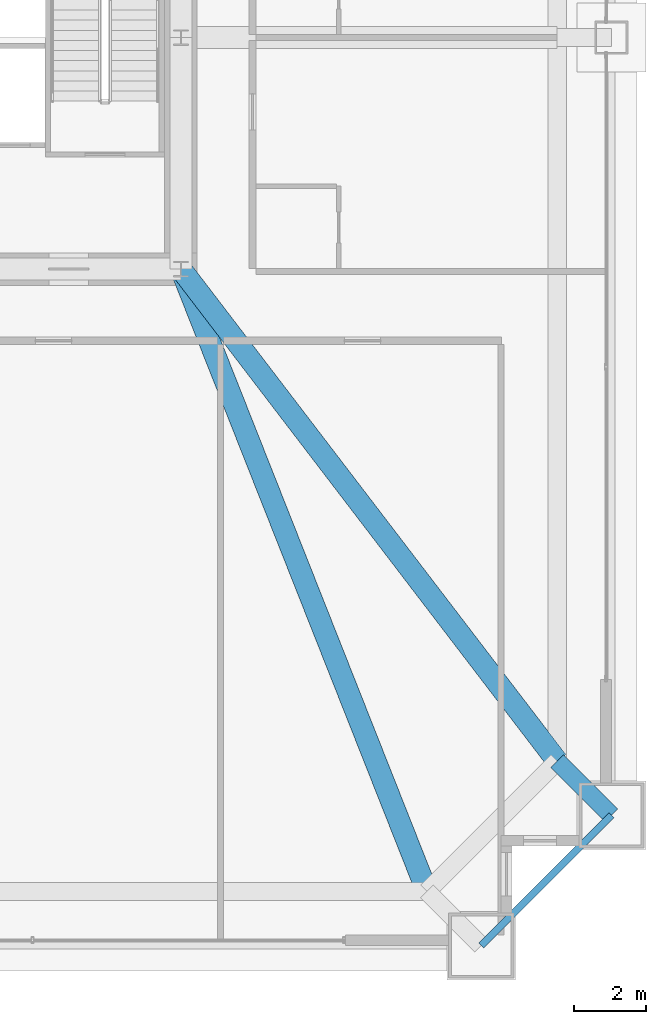
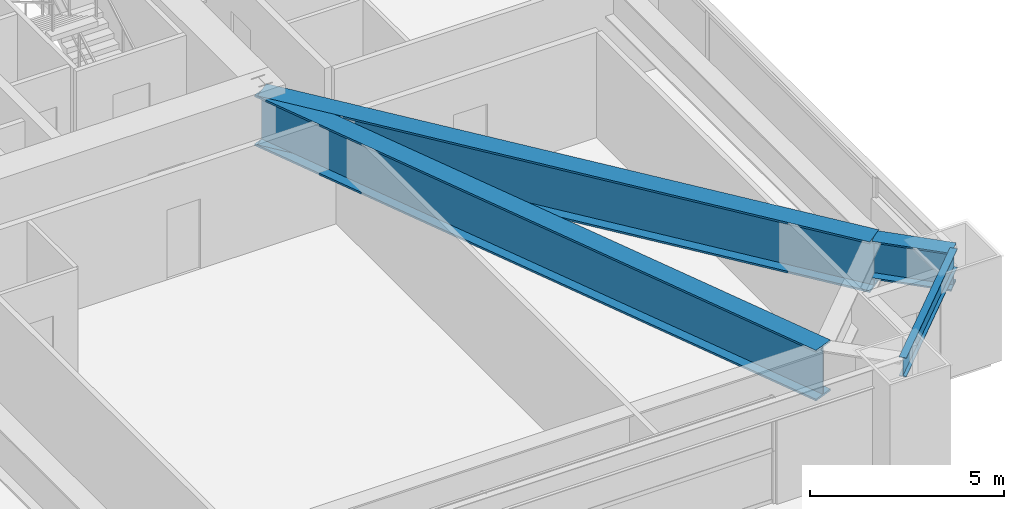
# One storey, part 16 of 44: 4 beams.
"""IFC4 building model written with IfcOpenShell, lengths in metres."""

from ifc_helpers import new_model, si_unit, direction, frame, origin, origin_2d, place, context, subcontext, project, spatial, i_section, extrude, source, transform, mapped, material, material_profile, profile_set, type_object, element, save


model = new_model("IFC4")

# Units and contexts
model_context = context("Model", 3, precision=1e-05, world=origin(), true_north=direction((0.0, 1.0)))
body_context = subcontext(model_context, "Body", "Model", "MODEL_VIEW")
ifc_project = project(units=[si_unit("LENGTHUNIT", "METRE"), si_unit("AREAUNIT", "SQUARE_METRE"), si_unit("VOLUMEUNIT", "CUBIC_METRE"), si_unit("PLANEANGLEUNIT", "RADIAN"), si_unit("MASSUNIT", "GRAM", prefix="KILO"), si_unit("THERMODYNAMICTEMPERATUREUNIT", "KELVIN"), si_unit("POWERUNIT", "WATT")], contexts=[model_context])

# Site, building, storey
site_placement = place(None, origin())
site = spatial("IfcSite", under=ifc_project, at=site_placement, CompositionType="ELEMENT")
building_placement = place(site_placement, origin())
building = spatial("IfcBuilding", under=site, at=building_placement, Name="Yuzanri Waterfront Tower", CompositionType="ELEMENT")
storey_placement = place(building_placement, frame((0.0, 0.0, 82.0)))
storey = spatial("IfcBuildingStorey", under=building, at=storey_placement, Name="L21", CompositionType="ELEMENT", Elevation=82.0)

# Beams
ifc_material_1 = material(Name="Steel Q355B", Category="steel")
ifc_material_profile_1 = material_profile(ifc_material_1, i_section(OverallWidth=0.199951171875, OverallDepth=0.60009765625, WebThickness=0.010986328125, FlangeThickness=0.01708984375, at=origin_2d()), Name="HN 600x200x11x17")
ifc_profile_set_1 = profile_set([ifc_material_profile_1], Name="Steel Q355B")
beam_type_1 = type_object("IfcBeamType", Name="Perimeter Spandrel Q355B HN 600x200", PredefinedType="SPANDREL", material=ifc_profile_set_1)
shared_shape_1 = source(origin(), body_context, "Body", "SweptSolid", [
    extrude(i_section(OverallWidth=0.199951171875, OverallDepth=0.60009765625, WebThickness=0.010986328125, FlangeThickness=0.01708984375, at=origin_2d()), origin(), (0.0, 0.0, 1.0), 5.09130859375),
])
beam_1_placement = place(storey_placement, frame((58.5, 0.699951171875, 3.02001953125), z_axis=(0.707106781187, 0.707106781187, 0.0), x_axis=(-0.707106781187, 0.707106781187, 0.0)))
element("IfcBeam", 1, at=beam_1_placement, inside=storey, type_object=beam_type_1, Name="L21 Perimeter Spandrel S3-E1", PredefinedType="SPANDREL", context=body_context, shape_type="MappedRepresentation", body=[
    mapped(shared_shape_1, transform((0.0, 0.0, 0.0), scale=1.0)),
])
ifc_material_2 = material(Name="Steel Q420GJC", Category="steel")
ifc_material_profile_2 = material_profile(ifc_material_2, i_section(OverallWidth=0.60009765625, OverallDepth=1.60009765625, WebThickness=0.031982421875, FlangeThickness=0.06005859375, at=origin_2d()), Name="PG 1600x600x32x60")
ifc_profile_set_2 = profile_set([ifc_material_profile_2], Name="Steel Q420GJC")
beam_type_2 = type_object("IfcBeamType", Name="Ballroom Transfer Girder Q420GJC PG 1600x600", PredefinedType="USERDEFINED", material=ifc_profile_set_2)
shared_shape_2 = source(origin(), body_context, "Body", "SweptSolid", [
    extrude(i_section(OverallWidth=0.60009765625, OverallDepth=1.60009765625, WebThickness=0.031982421875, FlangeThickness=0.06005859375, at=origin_2d()), origin(), (0.0, 0.0, 1.0), 18.495361328125),
])
beam_2_placement = place(storey_placement, frame((50.199951171875, 19.39990234375, 2.52001953125), z_axis=(0.367662075171, -0.929959460665, 0.0), x_axis=(0.929959460665, 0.367662075171, 0.0)))
element("IfcBeam", 2, at=beam_2_placement, inside=storey, type_object=beam_type_2, Name="L21 Setback Inner Transfer S3", ObjectType="GIRDER", PredefinedType="USERDEFINED", context=body_context, shape_type="MappedRepresentation", body=[
    mapped(shared_shape_2, transform((0.0, 0.0, 0.0), scale=1.0)),
])
ifc_material_3 = material(Name="Steel Q420GJC", Category="steel")
ifc_material_profile_3 = material_profile(ifc_material_3, i_section(OverallWidth=0.5, OverallDepth=1.199951171875, WebThickness=0.028076171875, FlangeThickness=0.050048828125, at=origin_2d()), Name="PG 1200x500x28x50")
ifc_profile_set_3 = profile_set([ifc_material_profile_3], Name="Steel Q420GJC")
beam_type_3 = type_object("IfcBeamType", Name="Setback Transfer Girder Q420GJC PG 1200x500", PredefinedType="USERDEFINED", material=ifc_profile_set_3)
shared_shape_3 = source(origin(), body_context, "Body", "SweptSolid", [
    extrude(i_section(OverallWidth=0.5, OverallDepth=1.199951171875, WebThickness=0.028076171875, FlangeThickness=0.050048828125, at=origin_2d()), origin(), (0.0, 0.0, 1.0), 2.121337890625),
])
beam_3_placement = place(storey_placement, frame((60.60009765625, 5.800048828125, 2.719970703125), z_axis=(0.707106781187, -0.707106781187, 0.0), x_axis=(0.707106781187, 0.707106781187, 0.0)))
element("IfcBeam", 3, at=beam_3_placement, inside=storey, type_object=beam_type_3, Name="L21 Setback Step Transfer E1", ObjectType="GIRDER", PredefinedType="USERDEFINED", context=body_context, shape_type="MappedRepresentation", body=[
    mapped(shared_shape_3, transform((0.0, 0.0, 0.0), scale=1.0)),
])
shared_shape_4 = source(origin(), body_context, "Body", "SweptSolid", [
    extrude(i_section(OverallWidth=0.60009765625, OverallDepth=1.60009765625, WebThickness=0.031982421875, FlangeThickness=0.06005859375, at=origin_2d()), origin(), (0.0, 0.0, 1.0), 17.12060546875),
])
beam_4_placement = place(storey_placement, frame((50.199951171875, 19.39990234375, 2.52001953125), z_axis=(0.607459634918, -0.794350547268, 0.0), x_axis=(0.794350547268, 0.607459634918, 0.0)))
element("IfcBeam", 4, at=beam_4_placement, inside=storey, type_object=beam_type_2, Name="L21 Setback Inner Transfer E1", ObjectType="GIRDER", PredefinedType="USERDEFINED", context=body_context, shape_type="MappedRepresentation", body=[
    mapped(shared_shape_4, transform((0.0, 0.0, 0.0), scale=1.0)),
])

save(model, "model.ifc")
